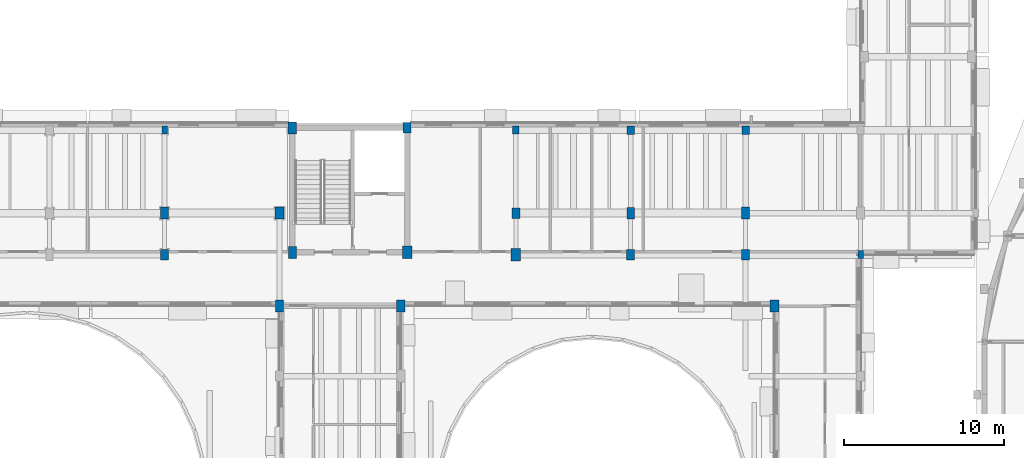
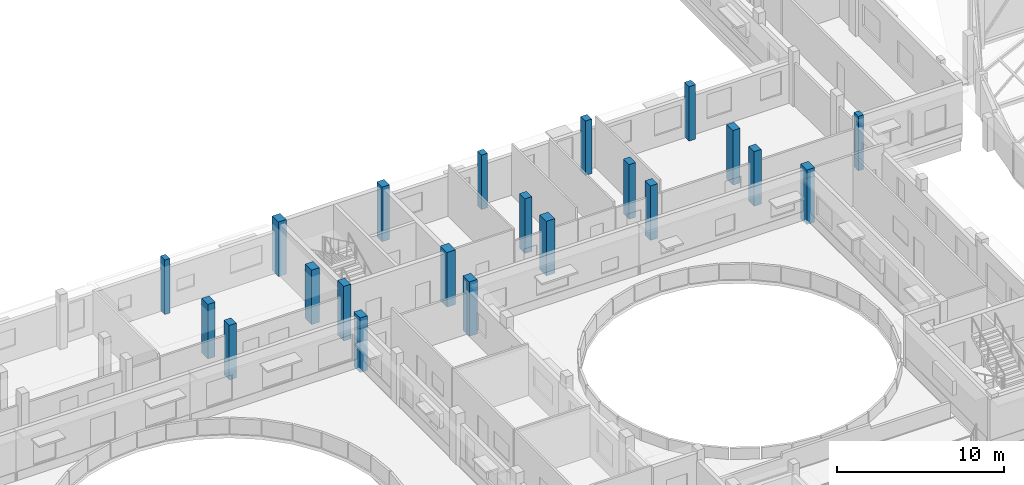
# One storey, part 8 of 78: 21 columns.
"""IFC4 building model written with IfcOpenShell, lengths in metres."""

import ifcopenshell
import ifcopenshell.guid

model = None  # the IFC model being written
_history = None  # IfcOwnerHistory: only IFC2X3 demands one
_inside = {}  # id of a spatial element -> (the spatial element, [elements in it])
_under = {}  # id of a project, library or spatial element -> (it, [spatial elements below it])
_declared = {}  # id of a project -> (the project, [libraries it declares])
_typed = {}  # id of a type object -> (the type object, [elements of that type])
_made_of = {}  # id of a material, layer set ... -> (it, [elements and type objects made of it])


def new_model(schema):
    """Start an empty IFC model of exactly this schema.

    Asked for "IFC4X3", IfcOpenShell would pick the latest addendum, in which some entities
    have other attributes; the version numbers below select the first issue.
    IFC2X3 requires an IfcOwnerHistory on every rooted entity: one is made here for all.
    """
    global model, _history
    if schema == "IFC4X3":
        model = ifcopenshell.file(schema_version=(4, 3, 0, 0))
    else:
        model = ifcopenshell.file(schema=schema)
    _inside.clear()
    _under.clear()
    _declared.clear()
    _typed.clear()
    _made_of.clear()
    _history = None
    if model.schema == "IFC2X3":
        org = make("IfcOrganization", Name="unknown")
        user = make(
            "IfcPersonAndOrganization",
            ThePerson=make("IfcPerson", FamilyName="unknown"),
            TheOrganization=org,
        )
        app = make(
            "IfcApplication",
            ApplicationDeveloper=org,
            Version="unknown",
            ApplicationFullName="unknown",
            ApplicationIdentifier="unknown",
        )
        _history = make(
            "IfcOwnerHistory",
            OwningUser=user,
            OwningApplication=app,
            ChangeAction="ADDED",
            CreationDate=0,
        )
    return model


def make(cls, **values):
    """One entity of the class cls with the attributes given. An attribute that is None is left unset."""
    return model.create_entity(
        cls, **{name: value for name, value in values.items() if value is not None}
    )


def rooted(cls, **values):
    """An entity with a GlobalId (a new one), such as an element, a storey or a relation."""
    return make(cls, GlobalId=ifcopenshell.guid.new(), OwnerHistory=_history, **values)


def si_unit(unit_type, name, prefix=None):
    """IfcSIUnit, for example si_unit("LENGTHUNIT", "METRE", prefix="MILLI")."""
    return make("IfcSIUnit", UnitType=unit_type, Prefix=prefix, Name=name)


def assignment(units):
    """IfcUnitAssignment: the units of a project."""
    return None if units is None else make("IfcUnitAssignment", Units=units)


def point(xyz):
    """IfcCartesianPoint."""
    return None if xyz is None else make("IfcCartesianPoint", Coordinates=xyz)


def direction(xyz):
    """IfcDirection."""
    return None if xyz is None else make("IfcDirection", DirectionRatios=xyz)


def frame(location, z_axis=None, x_axis=None):
    """IfcAxis2Placement3D, a coordinate frame: its origin and axes. An axis left out is left unset."""
    return make(
        "IfcAxis2Placement3D",
        Location=point(location),
        Axis=direction(z_axis),
        RefDirection=direction(x_axis),
    )


def frame_2d(location, x_axis=None):
    """IfcAxis2Placement2D, a coordinate frame in the plane: its origin and x axis."""
    return make(
        "IfcAxis2Placement2D", Location=point(location), RefDirection=direction(x_axis)
    )


def origin():
    """The frame at (0, 0, 0) with its axes left unset."""
    return frame((0.0, 0.0, 0.0))


def origin_2d():
    """The frame at (0, 0) in the plane with its x axis left unset."""
    return frame_2d((0.0, 0.0))


def place(relative_to, where):
    """IfcLocalPlacement: puts the frame where relative to a parent placement (None: the world)."""
    return make(
        "IfcLocalPlacement", PlacementRelTo=relative_to, RelativePlacement=where
    )


def context(
    kind, dimensions, precision=None, world=None, true_north=None, identifier=None
):
    """IfcGeometricRepresentationContext, for example the 3D "Model" context."""
    return make(
        "IfcGeometricRepresentationContext",
        ContextIdentifier=identifier,
        ContextType=kind,
        CoordinateSpaceDimension=dimensions,
        Precision=precision,
        WorldCoordinateSystem=world,
        TrueNorth=true_north,
    )


def subcontext(parent, identifier, kind, view, scale=None):
    """IfcGeometricRepresentationSubContext, for example "Body" below "Model"."""
    return make(
        "IfcGeometricRepresentationSubContext",
        ContextIdentifier=identifier,
        ContextType=kind,
        ParentContext=parent,
        TargetScale=scale,
        TargetView=view,
    )


def project(units=None, contexts=None):
    """IfcProject with its units and contexts."""
    return rooted(
        "IfcProject",
        Name="project",
        RepresentationContexts=contexts,
        UnitsInContext=assignment(units),
    )


def spatial(cls, under=None, at=None, **own):
    """A site, building, storey or space (cls), placed at a placement, below another one or the project."""
    s = rooted(cls, ObjectPlacement=at, **own)
    if under is not None:
        _under.setdefault(under.id(), (under, []))[1].append(s)
    return s


def profile(cls, at=None, kind="AREA", **sizes):
    """A parametric profile (cls). Its sizes go by their IFC names, for example OverallWidth=200.0."""
    return make(cls, ProfileType=kind, Position=at, **sizes)


def rectangle(**sizes):
    """IfcRectangleProfileDef."""
    return profile("IfcRectangleProfileDef", **sizes)


def extrude(swept, where, along, depth):
    """IfcExtrudedAreaSolid: the profile swept, set in the frame where, extruded along a direction by depth."""
    return make(
        "IfcExtrudedAreaSolid",
        SweptArea=swept,
        Position=where,
        ExtrudedDirection=direction(along),
        Depth=depth,
    )


def shape(context_of_items, identifier, shape_type, items):
    """IfcShapeRepresentation: the items that make up one representation, for example the "Body"."""
    return make(
        "IfcShapeRepresentation",
        ContextOfItems=context_of_items,
        RepresentationIdentifier=identifier,
        RepresentationType=shape_type,
        Items=items,
    )


def material(Name=None, Category=None):
    """IfcMaterial."""
    return make("IfcMaterial", Name=Name, Category=Category)


def material_profile(
    of_material, cross_section, Name=None, Category=None, Priority=None
):
    """IfcMaterialProfile: a cross section and its material."""
    return make(
        "IfcMaterialProfile",
        Name=Name,
        Material=of_material,
        Profile=cross_section,
        Priority=Priority,
        Category=Category,
    )


def profile_set(profiles, Name=None, composite=None):
    """IfcMaterialProfileSet."""
    return make(
        "IfcMaterialProfileSet",
        Name=Name,
        MaterialProfiles=profiles,
        CompositeProfile=composite,
    )


def made_of(thing, what):
    """Note that an element or type object is made of a material, layer set ...; save() writes the relation."""
    if what is not None:
        _made_of.setdefault(what.id(), (what, []))[1].append(thing)
    return thing


def type_object(cls, material=None, **own):
    """A type object (cls), such as IfcWallType, which elements share."""
    return made_of(rooted(cls, **own), material)


def element(
    cls,
    number,
    at=None,
    inside=None,
    cuts=None,
    type_object=None,
    material=None,
    context=None,
    identifier="Body",
    shape_type=None,
    held_by="IfcProductDefinitionShape",
    body=None,
    shapes=None,
    **own,
):
    """One element of the class cls, such as IfcWall. Its Tag is "e" and its number.

    at: its placement. inside: the storey or other place that contains it. cuts: it is an
    opening in that element (IfcRelVoidsElement). A single representation is given by context,
    identifier, shape_type and body (its items); several are given by shapes. held_by: the class
    of the entity that holds the representations. save() writes the other relations.
    """
    e = rooted(cls, Tag="e%d" % number, ObjectPlacement=at, **own)
    if body is not None:
        shapes = [shape(context, identifier, shape_type, body)]
    if shapes is not None:
        e.Representation = make(held_by, Representations=shapes)
    if inside is not None:
        _inside.setdefault(inside.id(), (inside, []))[1].append(e)
    if cuts is not None:
        rooted(
            "IfcRelVoidsElement", RelatingBuildingElement=cuts, RelatedOpeningElement=e
        )
    if type_object is not None:
        _typed.setdefault(type_object.id(), (type_object, []))[1].append(e)
    return made_of(e, material)


def aggregate(whole, parts):
    """IfcRelAggregates: a whole, such as a stair, and the parts it consists of."""
    return rooted("IfcRelAggregates", RelatingObject=whole, RelatedObjects=parts)


def save(model, path):
    """Write the relations noted so far, then the file.

    IfcRelAggregates (storeys below a building ...), IfcRelContainedInSpatialStructure (elements
    in a storey), IfcRelDefinesByType, IfcRelAssociatesMaterial and IfcRelDeclares: one each for
    every whole, place, type object, material and project.
    """
    for whole, parts in _under.values():
        aggregate(whole, parts)
    for where, things in _inside.values():
        rooted(
            "IfcRelContainedInSpatialStructure",
            RelatedElements=things,
            RelatingStructure=where,
        )
    for kind, things in _typed.values():
        rooted("IfcRelDefinesByType", RelatedObjects=things, RelatingType=kind)
    for what, things in _made_of.values():
        rooted("IfcRelAssociatesMaterial", RelatedObjects=things, RelatingMaterial=what)
    for by, libraries in _declared.values():
        rooted("IfcRelDeclares", RelatingContext=by, RelatedDefinitions=libraries)
    model.write(path)


model = new_model("IFC4")

# Units and contexts
model_context = context("Model", 3, precision=1e-05, world=origin(), true_north=direction((0.0, 1.0)))
body_context = subcontext(model_context, "Body", "Model", "MODEL_VIEW")
ifc_project = project(units=[si_unit("LENGTHUNIT", "METRE"), si_unit("AREAUNIT", "SQUARE_METRE"), si_unit("VOLUMEUNIT", "CUBIC_METRE"), si_unit("PLANEANGLEUNIT", "RADIAN"), si_unit("MASSUNIT", "GRAM", prefix="KILO")], contexts=[model_context])

# Site, building, storey
site_placement = place(None, origin())
site = spatial("IfcSite", under=ifc_project, at=site_placement, CompositionType="ELEMENT")
building_placement = place(site_placement, origin())
building = spatial("IfcBuilding", under=site, at=building_placement, Name="Kelanivale Promenade Academy", CompositionType="ELEMENT")
storey_placement = place(building_placement, frame((0.0, 0.0, 16.199951171875)))
storey = spatial("IfcBuildingStorey", under=building, at=storey_placement, Name="L04", CompositionType="ELEMENT", Elevation=16.199951171875)

# Columns
ifc_material = material(Name="Concrete C40/50", Category="concrete")
ifc_material_profile_1 = material_profile(ifc_material, rectangle(XDim=0.449951171875, YDim=0.699951171875, at=origin_2d()), Name="RC-COL 450x700")
ifc_profile_set_1 = profile_set([ifc_material_profile_1], Name="Concrete C40/50")
column_type_1 = type_object("IfcColumnType", Name="C-10 RC-COL 450x700", PredefinedType="COLUMN", material=ifc_profile_set_1)
column_1_placement = place(storey_placement, frame((101.199951171875, 74.199951171875, 0.0), z_axis=(0.0, 0.0, 1.0), x_axis=(1.0, 0.0, 0.0)))
element("IfcColumn", 1, at=column_1_placement, inside=storey, type_object=column_type_1, Name="Column C-10 at (101.2, 74.2) L04", PredefinedType="COLUMN", context=body_context, shape_type="SweptSolid", body=[
    extrude(rectangle(XDim=0.449951171875, YDim=0.699951171875, at=origin_2d()), origin(), (0.0, 0.0, 1.0), 4.0),
])
ifc_material_profile_2 = material_profile(ifc_material, rectangle(XDim=0.5, YDim=0.64990234375, at=origin_2d()), Name="RC-COL 500x650")
ifc_profile_set_2 = profile_set([ifc_material_profile_2], Name="Concrete C40/50")
column_type_2 = type_object("IfcColumnType", Name="C-11 RC-COL 500x650", PredefinedType="COLUMN", material=ifc_profile_set_2)
for number, where, z_axis, x_axis, name in (
    (2, (72.0, 71.60009765625, 0.0), (0.0, 0.0, 1.0), (1.0, 0.0, 0.0), "Column C-11 at (72.0, 71.6) L04"),
    (3, (87.199951171875, 79.550048828125, 0.0), (0.0, 0.0, 1.0), (1.0, 0.0, 0.0), "Column C-11 at (87.2, 79.5) L04"),
    (4, (94.0, 74.199951171875, 0.0), (0.0, 0.0, 1.0), (1.0, 0.0, 0.0), "Column C-11 at (94.0, 74.2) L04"),
    (5, (101.199951171875, 71.60009765625, 0.0), (0.0, 0.0, 1.0), (1.0, 0.0, 0.0), "Column C-11 at (101.2, 71.6) L04"),
    (6, (108.39990234375, 71.60009765625, 0.0), (0.0, 0.0, 1.0), (1.0, 0.0, 0.0), "Column C-11 at (108.4, 71.6) L04"),
):
    element("IfcColumn", number, at=place(storey_placement, frame(where, z_axis=z_axis, x_axis=x_axis)), inside=storey, type_object=column_type_2, Name=name, PredefinedType="COLUMN", context=body_context, shape_type="SweptSolid", body=[
        extrude(rectangle(XDim=0.5, YDim=0.64990234375, at=origin_2d()), origin(), (0.0, 0.0, 1.0), 4.0),
    ])
ifc_material_profile_3 = material_profile(ifc_material, rectangle(XDim=0.5, YDim=0.75, at=origin_2d()), Name="RC-COL 500x750")
ifc_profile_set_3 = profile_set([ifc_material_profile_3], Name="Concrete C40/50")
column_type_3 = type_object("IfcColumnType", Name="C-12 RC-COL 500x750", PredefinedType="COLUMN", material=ifc_profile_set_3)
for number, where, z_axis, x_axis, name in (
    (7, (72.0, 74.199951171875, 0.0), (0.0, 0.0, 1.0), (1.0, 0.0, 0.0), "Column C-12 at (72.0, 74.2) L04"),
    (8, (79.199951171875, 68.39990234375, 0.0), (0.0, 0.0, 1.0), (1.0, 0.0, 0.0), "Column C-12 at (79.2, 68.4) L04"),
    (9, (80.0, 71.75, 0.0), (0.0, 0.0, 1.0), (1.0, 0.0, 0.0), "Column C-12 at (80.0, 71.8) L04"),
    (10, (108.39990234375, 74.199951171875, 0.0), (0.0, 0.0, 1.0), (1.0, 0.0, 0.0), "Column C-12 at (108.4, 74.2) L04"),
):
    element("IfcColumn", number, at=place(storey_placement, frame(where, z_axis=z_axis, x_axis=x_axis)), inside=storey, type_object=column_type_3, Name=name, PredefinedType="COLUMN", context=body_context, shape_type="SweptSolid", body=[
        extrude(rectangle(XDim=0.5, YDim=0.75, at=origin_2d()), origin(), (0.0, 0.0, 1.0), 4.0),
    ])
ifc_material_profile_4 = material_profile(ifc_material, rectangle(XDim=0.550048828125, YDim=0.75, at=origin_2d()), Name="RC-COL 550x750")
ifc_profile_set_4 = profile_set([ifc_material_profile_4], Name="Concrete C40/50")
column_type_4 = type_object("IfcColumnType", Name="C-13 RC-COL 550x750", PredefinedType="COLUMN", material=ifc_profile_set_4)
for number, where, z_axis, x_axis, name in (
    (11, (79.199951171875, 74.199951171875, 0.0), (0.0, 0.0, 1.0), (1.0, 0.0, 0.0), "Column C-13 at (79.2, 74.2) L04"),
    (12, (80.0, 79.550048828125, 0.0), (0.0, 0.0, 1.0), (1.0, 0.0, 0.0), "Column C-13 at (80.0, 79.5) L04"),
    (13, (86.800048828125, 68.39990234375, 0.0), (0.0, 0.0, 1.0), (1.0, 0.0, 0.0), "Column C-13 at (86.8, 68.4) L04"),
    (14, (110.199951171875, 68.39990234375, 0.0), (0.0, 0.0, 1.0), (1.0, 0.0, 0.0), "Column C-13 at (110.2, 68.4) L04"),
):
    element("IfcColumn", number, at=place(storey_placement, frame(where, z_axis=z_axis, x_axis=x_axis)), inside=storey, type_object=column_type_4, Name=name, PredefinedType="COLUMN", context=body_context, shape_type="SweptSolid", body=[
        extrude(rectangle(XDim=0.550048828125, YDim=0.75, at=origin_2d()), origin(), (0.0, 0.0, 1.0), 4.0),
    ])
ifc_material_profile_5 = material_profile(ifc_material, rectangle(XDim=0.60009765625, YDim=0.800048828125, at=origin_2d()), Name="RC-COL 600x800")
ifc_profile_set_5 = profile_set([ifc_material_profile_5], Name="Concrete C40/50")
column_type_5 = type_object("IfcColumnType", Name="C-14 RC-COL 600x800", PredefinedType="COLUMN", material=ifc_profile_set_5)
for number, where, z_axis, x_axis, name in (
    (15, (87.199951171875, 71.75, 0.0), (0.0, 0.0, 1.0), (1.0, 0.0, 0.0), "Column C-14 at (87.2, 71.8) L04"),
    (16, (94.0, 71.60009765625, 0.0), (0.0, 0.0, 1.0), (1.0, 0.0, 0.0), "Column C-14 at (94.0, 71.6) L04"),
):
    element("IfcColumn", number, at=place(storey_placement, frame(where, z_axis=z_axis, x_axis=x_axis)), inside=storey, type_object=column_type_5, Name=name, PredefinedType="COLUMN", context=body_context, shape_type="SweptSolid", body=[
        extrude(rectangle(XDim=0.60009765625, YDim=0.800048828125, at=origin_2d()), origin(), (0.0, 0.0, 1.0), 4.0),
    ])
ifc_material_profile_6 = material_profile(ifc_material, rectangle(XDim=0.35009765625, YDim=0.5, at=origin_2d()), Name="RC-PIL 350x500")
ifc_profile_set_6 = profile_set([ifc_material_profile_6], Name="Concrete C40/50")
column_type_6 = type_object("IfcColumnType", Name="PL-15 RC-PIL 350x500", PredefinedType="PILASTER", material=ifc_profile_set_6)
for number, where, z_axis, x_axis, name in (
    (17, (72.0, 79.39990234375, 0.0), (0.0, 0.0, 1.0), (1.0, 0.0, 0.0), "Column PL-15 at (72.0, 79.4) L04"),
    (18, (115.60009765625, 71.60009765625, 0.0), (0.0, 0.0, 1.0), (1.0, 0.0, 0.0), "Column PL-15 at (115.6, 71.6) L04"),
):
    element("IfcColumn", number, at=place(storey_placement, frame(where, z_axis=z_axis, x_axis=x_axis)), inside=storey, type_object=column_type_6, Name=name, PredefinedType="PILASTER", context=body_context, shape_type="SweptSolid", body=[
        extrude(rectangle(XDim=0.35009765625, YDim=0.5, at=origin_2d()), origin(), (0.0, 0.0, 1.0), 4.0),
    ])
ifc_material_profile_7 = material_profile(ifc_material, rectangle(XDim=0.39990234375, YDim=0.5, at=origin_2d()), Name="RC-PIL 400x500")
ifc_profile_set_7 = profile_set([ifc_material_profile_7], Name="Concrete C40/50")
column_type_7 = type_object("IfcColumnType", Name="PL-16 RC-PIL 400x500", PredefinedType="PILASTER", material=ifc_profile_set_7)
column_2_placement = place(storey_placement, frame((94.0, 79.39990234375, 0.0), z_axis=(0.0, 0.0, 1.0), x_axis=(1.0, 0.0, 0.0)))
element("IfcColumn", 19, at=column_2_placement, inside=storey, type_object=column_type_7, Name="Column PL-16 at (94.0, 79.4) L04", PredefinedType="PILASTER", context=body_context, shape_type="SweptSolid", body=[
    extrude(rectangle(XDim=0.39990234375, YDim=0.5, at=origin_2d()), origin(), (0.0, 0.0, 1.0), 4.0),
])
ifc_material_profile_8 = material_profile(ifc_material, rectangle(XDim=0.449951171875, YDim=0.550048828125, at=origin_2d()), Name="RC-PIL 450x550")
ifc_profile_set_8 = profile_set([ifc_material_profile_8], Name="Concrete C40/50")
column_type_8 = type_object("IfcColumnType", Name="PL-17 RC-PIL 450x550", PredefinedType="PILASTER", material=ifc_profile_set_8)
for number, where, z_axis, x_axis, name in (
    (20, (101.199951171875, 79.39990234375, 0.0), (0.0, 0.0, 1.0), (1.0, 0.0, 0.0), "Column PL-17 at (101.2, 79.4) L04"),
    (21, (108.39990234375, 79.39990234375, 0.0), (0.0, 0.0, 1.0), (1.0, 0.0, 0.0), "Column PL-17 at (108.4, 79.4) L04"),
):
    element("IfcColumn", number, at=place(storey_placement, frame(where, z_axis=z_axis, x_axis=x_axis)), inside=storey, type_object=column_type_8, Name=name, PredefinedType="PILASTER", context=body_context, shape_type="SweptSolid", body=[
        extrude(rectangle(XDim=0.449951171875, YDim=0.550048828125, at=origin_2d()), origin(), (0.0, 0.0, 1.0), 4.0),
    ])

save(model, "model.ifc")
